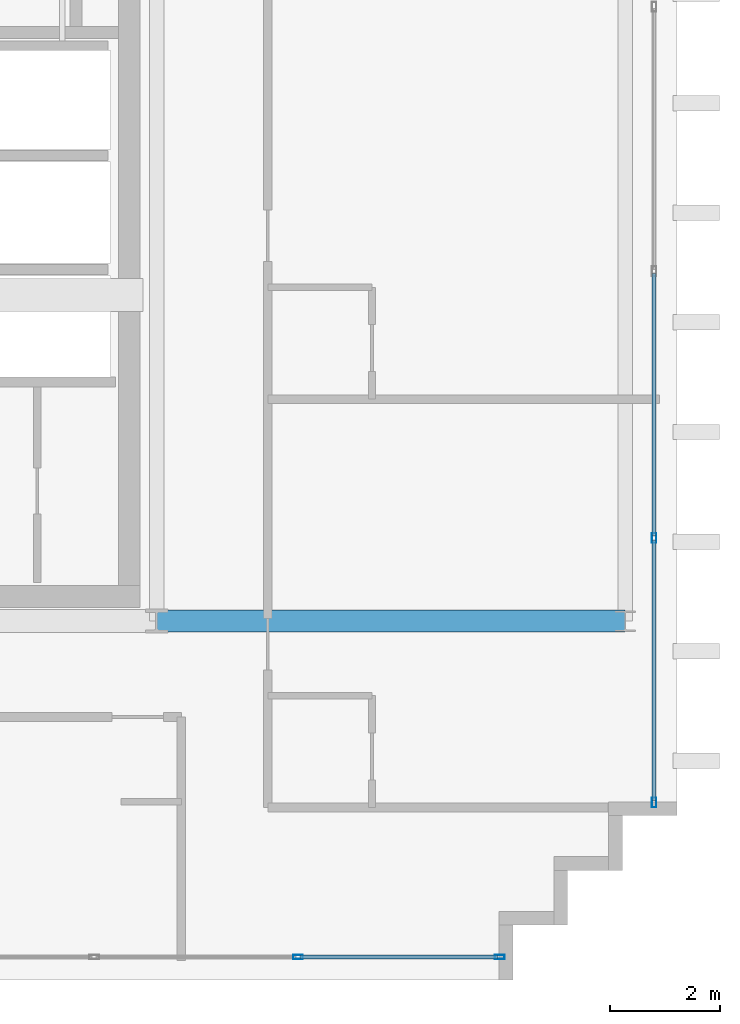
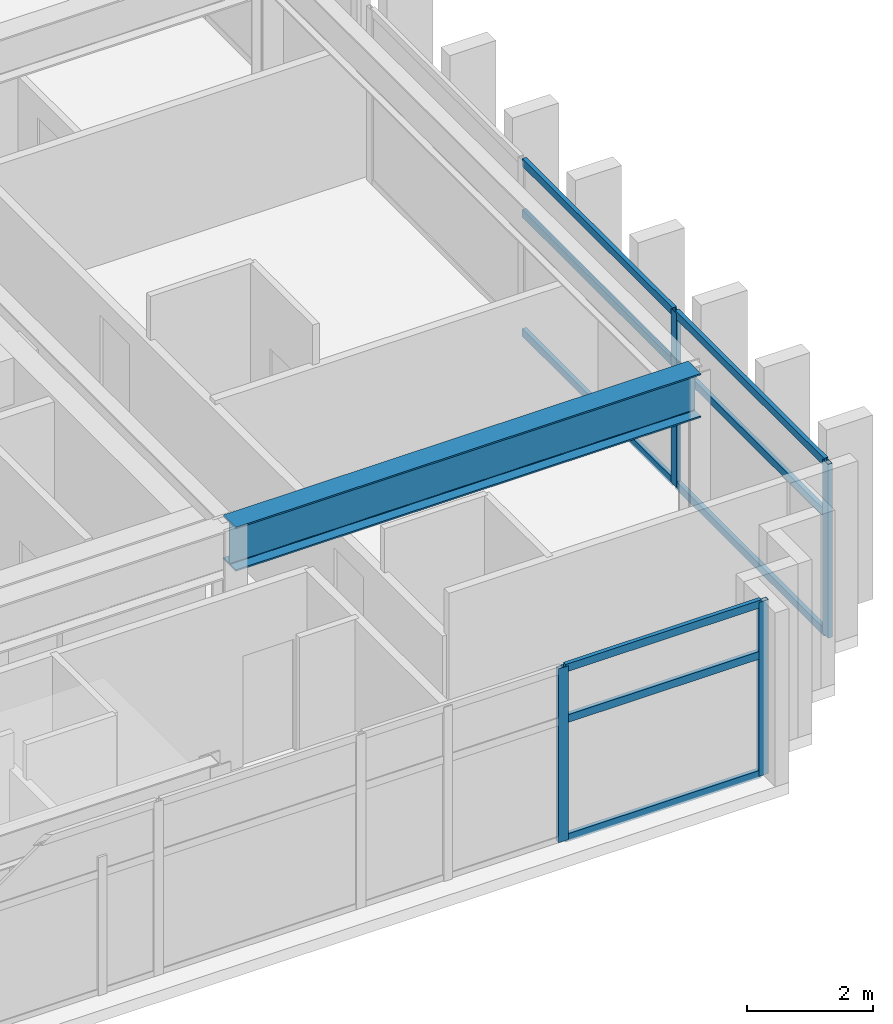
# One storey, part 4 of 15: 13 members, 1 beam, 2 elements without a shape of their own.
"""IFC4 building model written with IfcOpenShell, lengths in metres."""

from ifc_helpers import new_model, si_unit, direction, frame, origin, origin_2d, place, context, subcontext, project, spatial, hollow_rectangle, i_section, extrude, source, transform, mapped, material, layer, layer_set, material_profile, profile_set, type_object, element, aggregate, save


model = new_model("IFC4")

# Units and contexts
model_context = context("Model", 3, precision=1e-05, world=origin(), true_north=direction((0.0, 1.0)))
body_context = subcontext(model_context, "Body", "Model", "MODEL_VIEW")
ifc_project = project(units=[si_unit("LENGTHUNIT", "METRE"), si_unit("AREAUNIT", "SQUARE_METRE"), si_unit("VOLUMEUNIT", "CUBIC_METRE"), si_unit("PLANEANGLEUNIT", "RADIAN"), si_unit("MASSUNIT", "GRAM", prefix="KILO")], contexts=[model_context])

# Site, building, storey
site_placement = place(None, origin())
site = spatial("IfcSite", under=ifc_project, at=site_placement, CompositionType="ELEMENT")
building_placement = place(site_placement, origin())
building = spatial("IfcBuilding", under=site, at=building_placement, Name="Ocotamira Hotel", CompositionType="ELEMENT")
storey_placement = place(building_placement, frame((0.0, 0.0, 283.199951171875)))
storey = spatial("IfcBuildingStorey", under=building, at=storey_placement, Name="L72", CompositionType="ELEMENT", Elevation=283.199951171875)

# Beam
ifc_material_1 = material(Name="Steel ASTM A992 Grade 50", Category="steel")
ifc_material_profile_1 = material_profile(ifc_material_1, i_section(OverallWidth=0.39990234375, OverallDepth=0.85595703125, WebThickness=0.018310546875, FlangeThickness=0.029296875, FilletRadius=0.02001953125, at=origin_2d()), Name="W33X201")
ifc_profile_set_1 = profile_set([ifc_material_profile_1], Name="Steel ASTM A992 Grade 50")
beam_type = type_object("IfcBeamType", Name="BM-GIRD-W33X201", PredefinedType="BEAM", material=ifc_profile_set_1)
shared_shape_1 = source(origin(), body_context, "Body", "SweptSolid", [
    extrude(i_section(OverallWidth=0.39990234375, OverallDepth=0.85595703125, WebThickness=0.018310546875, FlangeThickness=0.029296875, FilletRadius=0.02001953125, at=origin_2d()), origin(), (0.0, 0.0, 1.0), 8.550048828125),
])
beam_placement = place(storey_placement, frame((23.5, 14.550048828125, 2.9521484375), z_axis=(1.0, 0.0, 0.0), x_axis=(0.0, 1.0, 0.0)))
element("IfcBeam", 1, at=beam_placement, inside=storey, type_object=beam_type, Name="L72 Girder Y14.55 X23.5-32.05", PredefinedType="BEAM", context=body_context, shape_type="MappedRepresentation", body=[
    mapped(shared_shape_1, transform((0.0, 0.0, 0.0), scale=1.0)),
])

# Curtain wall, members
ifc_material_2 = material(Name="Anodised pale-metal aluminium and solar glass", Category="aluminium")
ifc_layer = layer(ifc_material_2, 0.2099609375)
ifc_layer_set = layer_set([ifc_layer], Name="Anodised pale-metal aluminium and solar glass")
curtain_wall_type = type_object("IfcCurtainWallType", Name="CW-SYS7-PEAK", PredefinedType="NOTDEFINED", material=ifc_layer_set)
curtain_wall_1_placement = place(storey_placement, origin())
curtain_wall_1 = element("IfcCurtainWall", 2, at=curtain_wall_1_placement, inside=storey, type_object=curtain_wall_type, Name="L72 Curtain Wall CW-7 CW-L72-S1", PredefinedType="NOTDEFINED")
ifc_material_3 = material(Name="Anodised pale-metal aluminium 6063-T6", Category="aluminium")
ifc_material_profile_2 = material_profile(ifc_material_3, hollow_rectangle(XDim=0.080078125, YDim=0.179931640625, WallThickness=0.006103515625, at=origin_2d()), Name="HSS180X80X6")
ifc_profile_set_2 = profile_set([ifc_material_profile_2], Name="Anodised pale-metal aluminium 6063-T6")
member_type_1 = type_object("IfcMemberType", Name="CWM-180X75", PredefinedType="MULLION", material=ifc_profile_set_2)
shared_shape_2 = source(origin(), body_context, "Body", "SweptSolid", [
    extrude(hollow_rectangle(XDim=0.080078125, YDim=0.179931640625, WallThickness=0.006103515625, at=origin_2d()), origin(), (0.0, 0.0, 1.0), 3.380126953125),
])
member_1_placement = place(storey_placement, frame((26.080078125, 8.419921875, 0.0), z_axis=(0.0, 0.0, 1.0), x_axis=(0.0, 1.0, 0.0)))
member_1 = element("IfcMember", 3, at=member_1_placement, type_object=member_type_1, Name="CW-7 mullion 5", PredefinedType="MULLION", context=body_context, shape_type="MappedRepresentation", body=[
    mapped(shared_shape_2, transform((0.0, 0.0, 0.0), scale=1.0)),
])
member_2_placement = place(storey_placement, frame((29.760009765625, 8.419921875, 0.0), z_axis=(0.0, 0.0, 1.0), x_axis=(0.0, 1.0, 0.0)))
member_2 = element("IfcMember", 4, at=member_2_placement, type_object=member_type_1, Name="CW-7 mullion 6", PredefinedType="MULLION", context=body_context, shape_type="MappedRepresentation", body=[
    mapped(shared_shape_2, transform((0.0, 0.0, 0.0), scale=1.0)),
])

curtain_wall_2_placement = place(storey_placement, origin())
curtain_wall_2 = element("IfcCurtainWall", 5, at=curtain_wall_2_placement, inside=storey, type_object=curtain_wall_type, Name="L72 Curtain Wall CW-7 CW-L72-E1", PredefinedType="NOTDEFINED")
member_3_placement = place(storey_placement, frame((32.580078125, 11.239990234375, 0.0), z_axis=(0.0, 0.0, 1.0), x_axis=(-1.0, 0.0, 0.0)))
member_3 = element("IfcMember", 6, at=member_3_placement, type_object=member_type_1, Name="CW-7 mullion 1", PredefinedType="MULLION", context=body_context, shape_type="MappedRepresentation", body=[
    mapped(shared_shape_2, transform((0.0, 0.0, 0.0), scale=1.0)),
])
member_4_placement = place(storey_placement, frame((32.580078125, 16.066650390625, 0.0), z_axis=(0.0, 0.0, 1.0), x_axis=(-1.0, 0.0, 0.0)))
member_4 = element("IfcMember", 7, at=member_4_placement, type_object=member_type_1, Name="CW-7 mullion 2", PredefinedType="MULLION", context=body_context, shape_type="MappedRepresentation", body=[
    mapped(shared_shape_2, transform((0.0, 0.0, 0.0), scale=1.0)),
])

# Member
ifc_material_profile_3 = material_profile(ifc_material_3, hollow_rectangle(XDim=0.074951171875, YDim=0.14990234375, WallThickness=0.006103515625, at=origin_2d()), Name="HSS150X75X6")
ifc_profile_set_3 = profile_set([ifc_material_profile_3], Name="Anodised pale-metal aluminium 6063-T6")
member_type_2 = type_object("IfcMemberType", Name="CWT-150X75", PredefinedType="USERDEFINED", material=ifc_profile_set_3)
shared_shape_3 = source(origin(), body_context, "Body", "SweptSolid", [
    extrude(hollow_rectangle(XDim=0.074951171875, YDim=0.14990234375, WallThickness=0.006103515625, at=origin_2d()), origin(), (0.0, 0.0, 1.0), 3.599853515625),
])
member_5_placement = place(storey_placement, frame((26.1201171875, 8.419921875, 0.03759765625), z_axis=(1.0, 0.0, 0.0), x_axis=(0.0, 1.0, 0.0)))
member_5 = element("IfcMember", 8, at=member_5_placement, type_object=member_type_2, Name="CW-7 transom 5.1", ObjectType="TRANSOM", PredefinedType="USERDEFINED", context=body_context, shape_type="MappedRepresentation", body=[
    mapped(shared_shape_3, transform((0.0, 0.0, 0.0), scale=1.0)),
])

member_6_placement = place(storey_placement, frame((26.1201171875, 8.419921875, 2.35009765625), z_axis=(1.0, 0.0, 0.0), x_axis=(0.0, 1.0, 0.0)))
member_6 = element("IfcMember", 9, at=member_6_placement, type_object=member_type_2, Name="CW-7 transom 5.2", ObjectType="TRANSOM", PredefinedType="USERDEFINED", context=body_context, shape_type="MappedRepresentation", body=[
    mapped(shared_shape_3, transform((0.0, 0.0, 0.0), scale=1.0)),
])

member_7_placement = place(storey_placement, frame((26.1201171875, 8.419921875, 3.342529296875), z_axis=(1.0, 0.0, 0.0), x_axis=(0.0, 1.0, 0.0)))
member_7 = element("IfcMember", 10, at=member_7_placement, type_object=member_type_2, Name="CW-7 transom 5.3", ObjectType="TRANSOM", PredefinedType="USERDEFINED", context=body_context, shape_type="MappedRepresentation", body=[
    mapped(shared_shape_3, transform((0.0, 0.0, 0.0), scale=1.0)),
])

aggregate(curtain_wall_1, [member_1, member_2, member_5, member_6, member_7])

shared_shape_4 = source(origin(), body_context, "Body", "SweptSolid", [
    extrude(hollow_rectangle(XDim=0.074951171875, YDim=0.14990234375, WallThickness=0.006103515625, at=origin_2d()), origin(), (0.0, 0.0, 1.0), 4.74658203125),
])
member_8_placement = place(storey_placement, frame((32.580078125, 11.280029296875, 0.03759765625), z_axis=(0.0, 1.0, 0.0), x_axis=(-1.0, 0.0, 0.0)))
member_8 = element("IfcMember", 11, at=member_8_placement, type_object=member_type_2, Name="CW-7 transom 1.1", ObjectType="TRANSOM", PredefinedType="USERDEFINED", context=body_context, shape_type="MappedRepresentation", body=[
    mapped(shared_shape_4, transform((0.0, 0.0, 0.0), scale=1.0)),
])

member_9_placement = place(storey_placement, frame((32.580078125, 11.280029296875, 2.35009765625), z_axis=(0.0, 1.0, 0.0), x_axis=(-1.0, 0.0, 0.0)))
member_9 = element("IfcMember", 12, at=member_9_placement, type_object=member_type_2, Name="CW-7 transom 1.2", ObjectType="TRANSOM", PredefinedType="USERDEFINED", context=body_context, shape_type="MappedRepresentation", body=[
    mapped(shared_shape_4, transform((0.0, 0.0, 0.0), scale=1.0)),
])

member_10_placement = place(storey_placement, frame((32.580078125, 11.280029296875, 3.342529296875), z_axis=(0.0, 1.0, 0.0), x_axis=(-1.0, 0.0, 0.0)))
member_10 = element("IfcMember", 13, at=member_10_placement, type_object=member_type_2, Name="CW-7 transom 1.3", ObjectType="TRANSOM", PredefinedType="USERDEFINED", context=body_context, shape_type="MappedRepresentation", body=[
    mapped(shared_shape_4, transform((0.0, 0.0, 0.0), scale=1.0)),
])

shared_shape_5 = source(origin(), body_context, "Body", "SweptSolid", [
    extrude(hollow_rectangle(XDim=0.074951171875, YDim=0.14990234375, WallThickness=0.006103515625, at=origin_2d()), origin(), (0.0, 0.0, 1.0), 4.78662109375),
])
member_11_placement = place(storey_placement, frame((32.580078125, 16.106689453125, 0.03759765625), z_axis=(0.0, 1.0, 0.0), x_axis=(-1.0, 0.0, 0.0)))
member_11 = element("IfcMember", 14, at=member_11_placement, type_object=member_type_2, Name="CW-7 transom 2.1", ObjectType="TRANSOM", PredefinedType="USERDEFINED", context=body_context, shape_type="MappedRepresentation", body=[
    mapped(shared_shape_5, transform((0.0, 0.0, 0.0), scale=1.0)),
])

member_12_placement = place(storey_placement, frame((32.580078125, 16.106689453125, 2.35009765625), z_axis=(0.0, 1.0, 0.0), x_axis=(-1.0, 0.0, 0.0)))
member_12 = element("IfcMember", 15, at=member_12_placement, type_object=member_type_2, Name="CW-7 transom 2.2", ObjectType="TRANSOM", PredefinedType="USERDEFINED", context=body_context, shape_type="MappedRepresentation", body=[
    mapped(shared_shape_5, transform((0.0, 0.0, 0.0), scale=1.0)),
])

member_13_placement = place(storey_placement, frame((32.580078125, 16.106689453125, 3.342529296875), z_axis=(0.0, 1.0, 0.0), x_axis=(-1.0, 0.0, 0.0)))
member_13 = element("IfcMember", 16, at=member_13_placement, type_object=member_type_2, Name="CW-7 transom 2.3", ObjectType="TRANSOM", PredefinedType="USERDEFINED", context=body_context, shape_type="MappedRepresentation", body=[
    mapped(shared_shape_5, transform((0.0, 0.0, 0.0), scale=1.0)),
])

aggregate(curtain_wall_2, [member_3, member_4, member_8, member_9, member_10, member_11, member_12, member_13])

save(model, "model.ifc")
